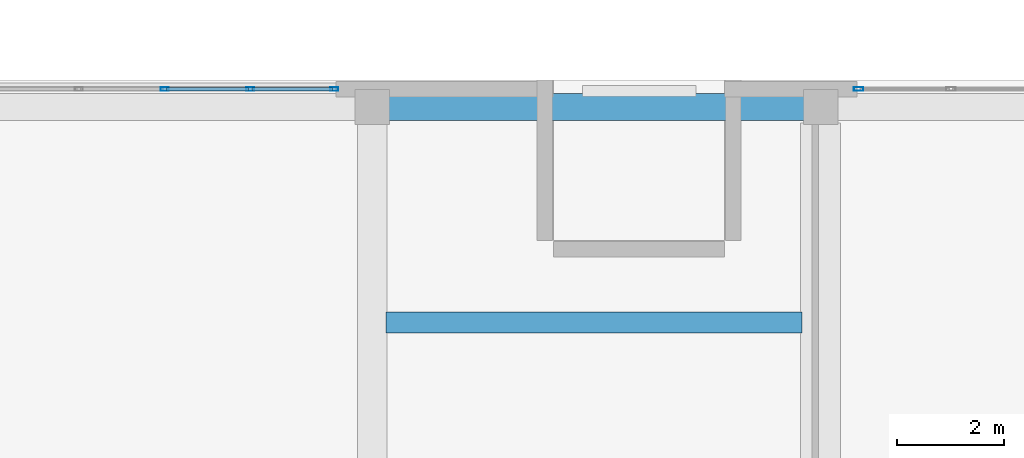
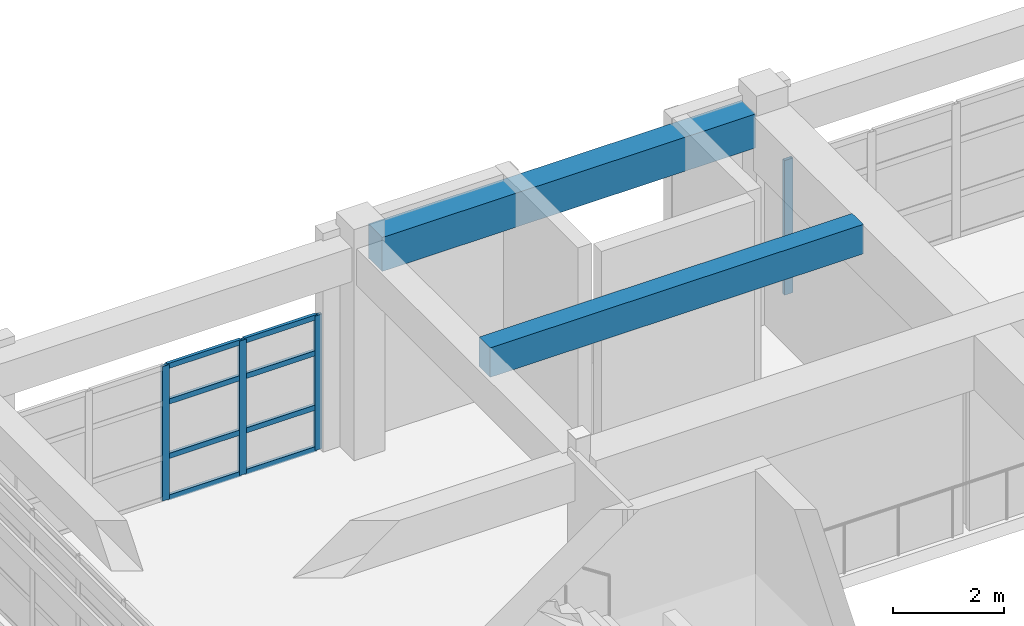
# One storey, part 63 of 103: 12 members, 2 beams, 2 elements without a shape of their own.
"""IFC4 building model written with IfcOpenShell, lengths in metres."""

from ifc_helpers import new_model, si_unit, direction, frame, origin, origin_2d, place, context, subcontext, project, spatial, rectangle, hollow_rectangle, extrude, material, layer, layer_set, material_profile, profile_set, type_object, element, aggregate, save


model = new_model("IFC4")

# Units and contexts
model_context = context("Model", 3, precision=1e-05, world=origin(), true_north=direction((0.0, 1.0)))
body_context = subcontext(model_context, "Body", "Model", "MODEL_VIEW")
ifc_project = project(units=[si_unit("LENGTHUNIT", "METRE"), si_unit("AREAUNIT", "SQUARE_METRE"), si_unit("VOLUMEUNIT", "CUBIC_METRE"), si_unit("PLANEANGLEUNIT", "RADIAN"), si_unit("MASSUNIT", "GRAM", prefix="KILO")], contexts=[model_context])

# Site, building, storey
site_placement = place(None, origin())
site = spatial("IfcSite", under=ifc_project, at=site_placement, CompositionType="ELEMENT")
building_placement = place(site_placement, origin())
building = spatial("IfcBuilding", under=site, at=building_placement, Name="Quendrovan Civic Courthouse", CompositionType="ELEMENT")
storey_placement = place(building_placement, frame((0.0, 0.0, 15.300048828125)))
storey = spatial("IfcBuildingStorey", under=building, at=storey_placement, Name="L04", CompositionType="ELEMENT", Elevation=15.300048828125)

# Beams
ifc_material_1 = material(Name="Concrete C40/50", Category="concrete")
ifc_material_profile_1 = material_profile(ifc_material_1, rectangle(XDim=0.39990234375, YDim=0.64990234375, at=origin_2d()), Name="RC-BM-400x650")
ifc_profile_set_1 = profile_set([ifc_material_profile_1], Name="Concrete C40/50")
beam_type_1 = type_object("IfcBeamType", Name="BM-RC650", PredefinedType="JOIST", material=ifc_profile_set_1)
beam_1_placement = place(storey_placement, frame((117.85498046875, 105.862548828125, 4.3349609375), z_axis=(1.0, 0.0, 0.0), x_axis=(0.0, 1.0, 0.0)))
element("IfcBeam", 1, at=beam_1_placement, inside=storey, type_object=beam_type_1, Name="L04 Secondary Joist 1001", PredefinedType="JOIST", context=body_context, shape_type="SweptSolid", body=[
    extrude(rectangle(XDim=0.39990234375, YDim=0.64990234375, at=origin_2d()), origin(), (0.0, 0.0, 1.0), 7.7900390625),
])
ifc_material_profile_2 = material_profile(ifc_material_1, rectangle(XDim=0.5, YDim=0.75, at=origin_2d()), Name="RC-BM-500x750")
ifc_profile_set_2 = profile_set([ifc_material_profile_2], Name="Concrete C40/50")
beam_type_2 = type_object("IfcBeamType", Name="BM-RC750", PredefinedType="SPANDREL", material=ifc_profile_set_2)
beam_2_placement = place(storey_placement, frame((117.905029296875, 109.89990234375, 4.284912109375), z_axis=(1.0, 0.0, 0.0), x_axis=(0.0, 1.0, 0.0)))
element("IfcBeam", 2, at=beam_2_placement, inside=storey, type_object=beam_type_2, Name="L04 Girder X0933", PredefinedType="SPANDREL", context=body_context, shape_type="SweptSolid", body=[
    extrude(rectangle(XDim=0.5, YDim=0.75, at=origin_2d()), origin(), (0.0, 0.0, 1.0), 7.7900390625),
])

# Curtain wall, member
ifc_material_2 = material(Name="Bronze anodised aluminium and low-E glass", Category="aluminium")
ifc_layer_1 = layer(ifc_material_2, 0.179931640625, Name="Bronze anodised aluminium and low-E glass")
ifc_layer_set_1 = layer_set([ifc_layer_1], Name="Bronze anodised aluminium and low-E glass")
curtain_wall_type_1 = type_object("IfcCurtainWallType", Name="CW-U70x30", PredefinedType="USERDEFINED", material=ifc_layer_set_1)
curtain_wall_1_placement = place(storey_placement, origin())
curtain_wall_1 = element("IfcCurtainWall", 3, at=curtain_wall_1_placement, inside=storey, type_object=curtain_wall_type_1, Name="L04 Unitised Hurricane Curtain Wall CW-168", ObjectType="UNITISED CURTAIN WALL", PredefinedType="USERDEFINED")
ifc_material_3 = material(Name="Bronze anodised aluminium", Category="aluminium")
ifc_material_profile_3 = material_profile(ifc_material_3, hollow_rectangle(XDim=0.070068359375, YDim=0.179931640625, WallThickness=0.00390625, at=origin_2d()), Name="CW-MULL-70x180")
ifc_profile_set_3 = profile_set([ifc_material_profile_3], Name="Bronze anodised aluminium")
member_type_1 = type_object("IfcMemberType", Name="CW-MULL-A", PredefinedType="MULLION", material=ifc_profile_set_3)
member_1_placement = place(storey_placement, frame((126.7099609375, 110.235107421875, 0.0), z_axis=(0.0, 0.0, 1.0), x_axis=(0.0, 1.0, 0.0)))
member_1 = element("IfcMember", 4, at=member_1_placement, type_object=member_type_1, Name="CW-168 mullion 1", PredefinedType="MULLION", context=body_context, shape_type="SweptSolid", body=[
    extrude(hollow_rectangle(XDim=0.070068359375, YDim=0.179931640625, WallThickness=0.00390625, at=origin_2d()), origin(), (0.0, 0.0, 1.0), 2.969970703125),
])
aggregate(curtain_wall_1, [member_1])

# Curtain wall, members
ifc_layer_2 = layer(ifc_material_2, 0.179931640625, Name="Bronze anodised aluminium and low-E glass")
ifc_layer_set_2 = layer_set([ifc_layer_2], Name="Bronze anodised aluminium and low-E glass")
curtain_wall_type_2 = type_object("IfcCurtainWallType", Name="CW-U64x30", PredefinedType="USERDEFINED", material=ifc_layer_set_2)
curtain_wall_2_placement = place(storey_placement, origin())
curtain_wall_2 = element("IfcCurtainWall", 5, at=curtain_wall_2_placement, inside=storey, type_object=curtain_wall_type_2, Name="L04 Unitised Hurricane Curtain Wall CW-167", ObjectType="UNITISED CURTAIN WALL", PredefinedType="USERDEFINED")
ifc_material_profile_4 = material_profile(ifc_material_3, hollow_rectangle(XDim=0.06494140625, YDim=0.14990234375, WallThickness=0.00390625, at=origin_2d()), Name="CW-MULL-65x150")
ifc_profile_set_4 = profile_set([ifc_material_profile_4], Name="Bronze anodised aluminium")
member_type_2 = type_object("IfcMemberType", Name="CW-MULL-B", PredefinedType="MULLION", material=ifc_profile_set_4)
member_2_placement = place(storey_placement, frame((113.71240234375, 110.235107421875, 0.0), z_axis=(0.0, 0.0, 1.0), x_axis=(0.0, 1.0, 0.0)))
member_2 = element("IfcMember", 6, at=member_2_placement, type_object=member_type_2, Name="CW-167 mullion 3", PredefinedType="MULLION", context=body_context, shape_type="SweptSolid", body=[
    extrude(hollow_rectangle(XDim=0.06494140625, YDim=0.14990234375, WallThickness=0.00390625, at=origin_2d()), origin(), (0.0, 0.0, 1.0), 2.969970703125),
])
member_3_placement = place(storey_placement, frame((115.31884765625, 110.235107421875, 0.0), z_axis=(0.0, 0.0, 1.0), x_axis=(0.0, 1.0, 0.0)))
member_3 = element("IfcMember", 7, at=member_3_placement, type_object=member_type_2, Name="CW-167 mullion 4", PredefinedType="MULLION", context=body_context, shape_type="SweptSolid", body=[
    extrude(hollow_rectangle(XDim=0.06494140625, YDim=0.14990234375, WallThickness=0.00390625, at=origin_2d()), origin(), (0.0, 0.0, 1.0), 2.969970703125),
])
member_4_placement = place(storey_placement, frame((116.892578125, 110.235107421875, 0.0), z_axis=(0.0, 0.0, 1.0), x_axis=(0.0, 1.0, 0.0)))
member_4 = element("IfcMember", 8, at=member_4_placement, type_object=member_type_2, Name="CW-167 mullion 5", PredefinedType="MULLION", context=body_context, shape_type="SweptSolid", body=[
    extrude(hollow_rectangle(XDim=0.06494140625, YDim=0.14990234375, WallThickness=0.00390625, at=origin_2d()), origin(), (0.0, 0.0, 1.0), 2.969970703125),
])
ifc_material_profile_5 = material_profile(ifc_material_3, hollow_rectangle(XDim=0.06494140625, YDim=0.114990234375, WallThickness=0.00390625, at=origin_2d()), Name="CW-TRAN-65x115")
ifc_profile_set_5 = profile_set([ifc_material_profile_5], Name="Bronze anodised aluminium")
member_type_3 = type_object("IfcMemberType", Name="CW-TRAN-B", PredefinedType="USERDEFINED", material=ifc_profile_set_5)
member_5_placement = place(storey_placement, frame((113.7451171875, 110.235107421875, 0.032470703125), z_axis=(1.0, 0.0, 0.0), x_axis=(0.0, 1.0, 0.0)))
member_5 = element("IfcMember", 9, at=member_5_placement, type_object=member_type_3, Name="CW-167 transom 3.1", ObjectType="TRANSOM", PredefinedType="USERDEFINED", context=body_context, shape_type="SweptSolid", body=[
    extrude(hollow_rectangle(XDim=0.06494140625, YDim=0.114990234375, WallThickness=0.00390625, at=origin_2d()), origin(), (0.0, 0.0, 1.0), 1.541015625),
])
member_6_placement = place(storey_placement, frame((113.7451171875, 110.235107421875, 0.949951171875), z_axis=(1.0, 0.0, 0.0), x_axis=(0.0, 1.0, 0.0)))
member_6 = element("IfcMember", 10, at=member_6_placement, type_object=member_type_3, Name="CW-167 transom 3.2", ObjectType="TRANSOM", PredefinedType="USERDEFINED", context=body_context, shape_type="SweptSolid", body=[
    extrude(hollow_rectangle(XDim=0.06494140625, YDim=0.114990234375, WallThickness=0.00390625, at=origin_2d()), origin(), (0.0, 0.0, 1.0), 1.541015625),
])
member_7_placement = place(storey_placement, frame((113.7451171875, 110.235107421875, 2.14990234375), z_axis=(1.0, 0.0, 0.0), x_axis=(0.0, 1.0, 0.0)))
member_7 = element("IfcMember", 11, at=member_7_placement, type_object=member_type_3, Name="CW-167 transom 3.3", ObjectType="TRANSOM", PredefinedType="USERDEFINED", context=body_context, shape_type="SweptSolid", body=[
    extrude(hollow_rectangle(XDim=0.06494140625, YDim=0.114990234375, WallThickness=0.00390625, at=origin_2d()), origin(), (0.0, 0.0, 1.0), 1.541015625),
])
member_8_placement = place(storey_placement, frame((113.7451171875, 110.235107421875, 2.9375), z_axis=(1.0, 0.0, 0.0), x_axis=(0.0, 1.0, 0.0)))
member_8 = element("IfcMember", 12, at=member_8_placement, type_object=member_type_3, Name="CW-167 transom 3.4", ObjectType="TRANSOM", PredefinedType="USERDEFINED", context=body_context, shape_type="SweptSolid", body=[
    extrude(hollow_rectangle(XDim=0.06494140625, YDim=0.114990234375, WallThickness=0.00390625, at=origin_2d()), origin(), (0.0, 0.0, 1.0), 1.541015625),
])
member_9_placement = place(storey_placement, frame((115.351318359375, 110.235107421875, 0.032470703125), z_axis=(1.0, 0.0, 0.0), x_axis=(0.0, 1.0, 0.0)))
member_9 = element("IfcMember", 13, at=member_9_placement, type_object=member_type_3, Name="CW-167 transom 4.1", ObjectType="TRANSOM", PredefinedType="USERDEFINED", context=body_context, shape_type="SweptSolid", body=[
    extrude(hollow_rectangle(XDim=0.06494140625, YDim=0.114990234375, WallThickness=0.00390625, at=origin_2d()), origin(), (0.0, 0.0, 1.0), 1.5087890625),
])
member_10_placement = place(storey_placement, frame((115.351318359375, 110.235107421875, 0.949951171875), z_axis=(1.0, 0.0, 0.0), x_axis=(0.0, 1.0, 0.0)))
member_10 = element("IfcMember", 14, at=member_10_placement, type_object=member_type_3, Name="CW-167 transom 4.2", ObjectType="TRANSOM", PredefinedType="USERDEFINED", context=body_context, shape_type="SweptSolid", body=[
    extrude(hollow_rectangle(XDim=0.06494140625, YDim=0.114990234375, WallThickness=0.00390625, at=origin_2d()), origin(), (0.0, 0.0, 1.0), 1.5087890625),
])
member_11_placement = place(storey_placement, frame((115.351318359375, 110.235107421875, 2.14990234375), z_axis=(1.0, 0.0, 0.0), x_axis=(0.0, 1.0, 0.0)))
member_11 = element("IfcMember", 15, at=member_11_placement, type_object=member_type_3, Name="CW-167 transom 4.3", ObjectType="TRANSOM", PredefinedType="USERDEFINED", context=body_context, shape_type="SweptSolid", body=[
    extrude(hollow_rectangle(XDim=0.06494140625, YDim=0.114990234375, WallThickness=0.00390625, at=origin_2d()), origin(), (0.0, 0.0, 1.0), 1.5087890625),
])
member_12_placement = place(storey_placement, frame((115.351318359375, 110.235107421875, 2.9375), z_axis=(1.0, 0.0, 0.0), x_axis=(0.0, 1.0, 0.0)))
member_12 = element("IfcMember", 16, at=member_12_placement, type_object=member_type_3, Name="CW-167 transom 4.4", ObjectType="TRANSOM", PredefinedType="USERDEFINED", context=body_context, shape_type="SweptSolid", body=[
    extrude(hollow_rectangle(XDim=0.06494140625, YDim=0.114990234375, WallThickness=0.00390625, at=origin_2d()), origin(), (0.0, 0.0, 1.0), 1.5087890625),
])
aggregate(curtain_wall_2, [member_2, member_3, member_4, member_5, member_6, member_7, member_8, member_9, member_10, member_11, member_12])

save(model, "model.ifc")
